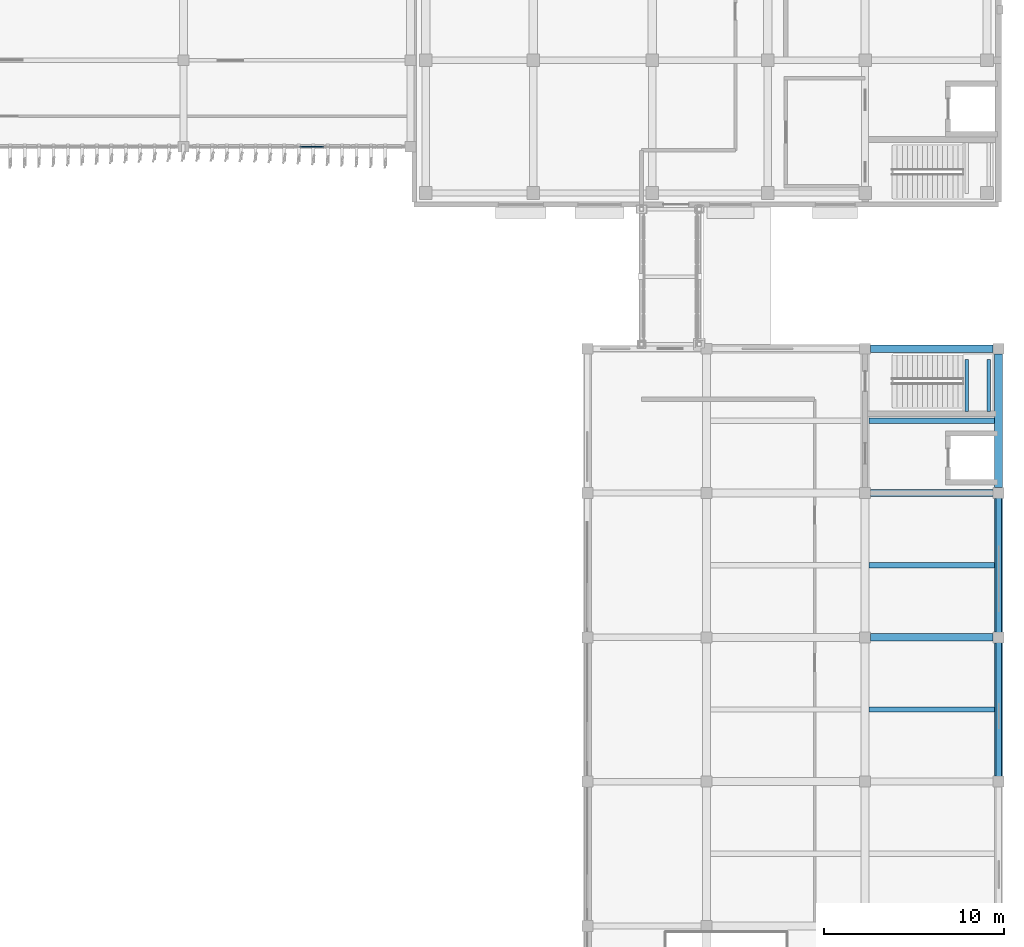
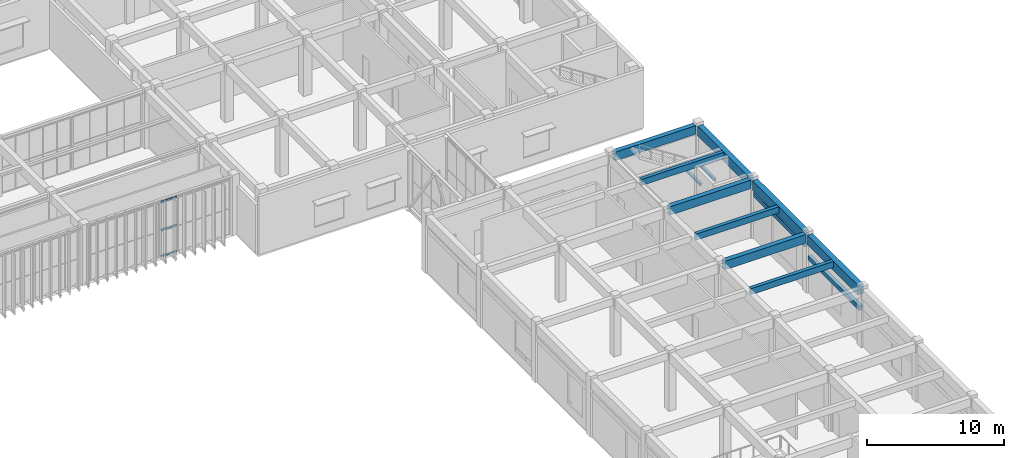
# One storey, part 24 of 64: 13 beams, 3 members, 1 element without a shape of its own.
"""IFC4 building model written with IfcOpenShell, lengths in metres."""

from ifc_helpers import new_model, si_unit, direction, frame, origin, origin_2d, place, context, subcontext, project, spatial, rectangle, i_section, extrude, material, layer, layer_set, material_profile, profile_set, type_object, element, aggregate, save


model = new_model("IFC4")

# Units and contexts
model_context = context("Model", 3, precision=1e-05, world=origin(), true_north=direction((0.0, 1.0)))
body_context = subcontext(model_context, "Body", "Model", "MODEL_VIEW")
ifc_project = project(units=[si_unit("LENGTHUNIT", "METRE"), si_unit("AREAUNIT", "SQUARE_METRE"), si_unit("VOLUMEUNIT", "CUBIC_METRE"), si_unit("PLANEANGLEUNIT", "RADIAN"), si_unit("MASSUNIT", "GRAM", prefix="KILO")], contexts=[model_context])

# Site, building, storey
site_placement = place(None, origin())
site = spatial("IfcSite", under=ifc_project, at=site_placement, CompositionType="ELEMENT")
building_placement = place(site_placement, origin())
building = spatial("IfcBuilding", under=site, at=building_placement, Name="Cinchona Park Media Centre", CompositionType="ELEMENT")
storey_placement = place(building_placement, frame((0.0, 0.0, 10.199951171875)))
storey = spatial("IfcBuildingStorey", under=building, at=storey_placement, Name="L02", CompositionType="ELEMENT", Elevation=10.199951171875)

# Beams
ifc_material_1 = material(Name="Concrete C35/45", Category="concrete")
ifc_material_profile_1 = material_profile(ifc_material_1, rectangle(XDim=0.39990234375, YDim=0.75, at=origin_2d()), Name="RB 400X750")
ifc_profile_set_1 = profile_set([ifc_material_profile_1], Name="Concrete C35/45")
beam_type_1 = type_object("IfcBeamType", Name="BEAM-B01-RB400X750", PredefinedType="BEAM", material=ifc_profile_set_1)
for number, where, z_axis, x_axis, name in (
    (1, (164.89990234375, 47.60009765625, 4.775146484375), (1.0, 0.0, 0.0), (0.0, 1.0, 0.0), "Beam B01 L02"),
    (2, (164.89990234375, 55.60009765625, 4.775146484375), (1.0, 0.0, 0.0), (0.0, 1.0, 0.0), "Beam B01 L02"),
    (3, (164.89990234375, 63.60009765625, 4.775146484375), (1.0, 0.0, 0.0), (0.0, 1.0, 0.0), "Beam B01 L02"),
):
    element("IfcBeam", number, at=place(storey_placement, frame(where, z_axis=z_axis, x_axis=x_axis)), inside=storey, type_object=beam_type_1, Name=name, PredefinedType="BEAM", context=body_context, shape_type="SweptSolid", body=[
        extrude(rectangle(XDim=0.39990234375, YDim=0.75, at=origin_2d()), origin(), (0.0, 0.0, 1.0), 6.800048828125),
    ])
ifc_material_2 = material(Name="Concrete C35/45", Category="concrete")
ifc_material_profile_2 = material_profile(ifc_material_2, rectangle(XDim=0.449951171875, YDim=0.85009765625, at=origin_2d()), Name="RB 450X850")
ifc_profile_set_2 = profile_set([ifc_material_profile_2], Name="Concrete C35/45")
beam_type_2 = type_object("IfcBeamType", Name="BEAM-B02-RB450X850", PredefinedType="BEAM", material=ifc_profile_set_2)
for number, where, z_axis, x_axis, name in (
    (4, (172.0, 39.89990234375, 4.72509765625), (0.0, 1.0, 0.0), (-1.0, 0.0, 0.0), "Girder B02 L02"),
    (5, (172.0, 47.89990234375, 4.72509765625), (0.0, 1.0, 0.0), (-1.0, 0.0, 0.0), "Girder B02 L02"),
    (6, (172.0, 55.89990234375, 4.72509765625), (0.0, 1.0, 0.0), (-1.0, 0.0, 0.0), "Girder B02 L02"),
):
    element("IfcBeam", number, at=place(storey_placement, frame(where, z_axis=z_axis, x_axis=x_axis)), inside=storey, type_object=beam_type_2, Name=name, PredefinedType="BEAM", context=body_context, shape_type="SweptSolid", body=[
        extrude(rectangle(XDim=0.449951171875, YDim=0.85009765625, at=origin_2d()), origin(), (0.0, 0.0, 1.0), 7.400146484375),
    ])
ifc_material_3 = material(Name="Steel S355", Category="steel")
ifc_material_profile_3 = material_profile(ifc_material_3, i_section(OverallWidth=0.202880859375, OverallDepth=0.202880859375, WebThickness=0.007080078125, FlangeThickness=0.010986328125, at=origin_2d()), Name="W200X46")
ifc_profile_set_3 = profile_set([ifc_material_profile_3], Name="Steel S355")
beam_type_3 = type_object("IfcBeamType", Name="BEAM-B10-W200X46", PredefinedType="BEAM", material=ifc_profile_set_3)
for number, where, z_axis, x_axis, name in (
    (7, (170.239990234375, 60.125, 2.3935546875), (0.0, 1.0, 0.0), (-1.0, 0.0, 0.0), "Stair Landing Bearer Beam B10 ST7 L02"),
    (8, (171.4599609375, 60.125, 2.3935546875), (0.0, 1.0, 0.0), (-1.0, 0.0, 0.0), "Stair Landing Bearer Beam B10 ST7 L02"),
):
    element("IfcBeam", number, at=place(storey_placement, frame(where, z_axis=z_axis, x_axis=x_axis)), inside=storey, type_object=beam_type_3, Name=name, PredefinedType="BEAM", context=body_context, shape_type="SweptSolid", body=[
        extrude(i_section(OverallWidth=0.202880859375, OverallDepth=0.202880859375, WebThickness=0.007080078125, FlangeThickness=0.010986328125, at=origin_2d()), origin(), (0.0, 0.0, 1.0), 2.875),
    ])
ifc_material_4 = material(Name="Concrete C35/45", Category="concrete")
ifc_material_profile_4 = material_profile(ifc_material_4, rectangle(XDim=0.300048828125, YDim=0.550048828125, at=origin_2d()), Name="RB 300X550")
ifc_profile_set_4 = profile_set([ifc_material_profile_4], Name="Concrete C35/45")
beam_type_4 = type_object("IfcBeamType", Name="BEAM-J01-RB300X550", PredefinedType="JOIST", material=ifc_profile_set_4)
for number, where, z_axis, x_axis, name in (
    (9, (164.824951171875, 43.60009765625, 4.875), (1.0, 0.0, 0.0), (0.0, 1.0, 0.0), "Floor Joist J01 L02"),
    (10, (164.824951171875, 51.60009765625, 4.875), (1.0, 0.0, 0.0), (0.0, 1.0, 0.0), "Floor Joist J01 L02"),
    (11, (164.824951171875, 59.60009765625, 4.875), (1.0, 0.0, 0.0), (0.0, 1.0, 0.0), "Floor Joist J01 L02"),
):
    element("IfcBeam", number, at=place(storey_placement, frame(where, z_axis=z_axis, x_axis=x_axis)), inside=storey, type_object=beam_type_4, Name=name, PredefinedType="JOIST", context=body_context, shape_type="SweptSolid", body=[
        extrude(rectangle(XDim=0.300048828125, YDim=0.550048828125, at=origin_2d()), origin(), (0.0, 0.0, 1.0), 6.949951171875),
    ])
ifc_material_5 = material(Name="Concrete C35/45", Category="concrete")
ifc_material_profile_5 = material_profile(ifc_material_5, rectangle(XDim=0.300048828125, YDim=0.39990234375, at=origin_2d()), Name="RL 300X400")
ifc_profile_set_5 = profile_set([ifc_material_profile_5], Name="Concrete C35/45")
beam_type_5 = type_object("IfcBeamType", Name="BEAM-LN02-RL300X400", PredefinedType="LINTEL", material=ifc_profile_set_5)
for number, where, z_axis, x_axis, name in (
    (12, (172.0, 55.320068359375, 3.900146484375), (0.0, -1.0, 0.0), (1.0, 0.0, 0.0), "Window Lintel LN02"),
    (13, (172.0, 47.320068359375, 3.10009765625), (0.0, -1.0, 0.0), (1.0, 0.0, 0.0), "Window Lintel LN02"),
):
    element("IfcBeam", number, at=place(storey_placement, frame(where, z_axis=z_axis, x_axis=x_axis)), inside=storey, type_object=beam_type_5, Name=name, PredefinedType="LINTEL", context=body_context, shape_type="SweptSolid", body=[
        extrude(rectangle(XDim=0.300048828125, YDim=0.39990234375, at=origin_2d()), origin(), (0.0, 0.0, 1.0), 7.440185546875),
    ])

# Curtain wall, members
ifc_material_6 = material(Name="Aluminium Curtain Wall Framing", Category="aluminium")
ifc_layer = layer(ifc_material_6, 0.2548828125)
ifc_layer_set = layer_set([ifc_layer], Name="Aluminium Curtain Wall Framing")
curtain_wall_type = type_object("IfcCurtainWallType", Name="CW-CW06", PredefinedType="USERDEFINED", material=ifc_layer_set)
curtain_wall_placement = place(storey_placement, origin())
curtain_wall = element("IfcCurtainWall", 14, at=curtain_wall_placement, inside=storey, type_object=curtain_wall_type, Name="Curtain Wall CW06 L02", ObjectType="UNITISED CURTAIN WALL", PredefinedType="USERDEFINED")
ifc_material_7 = material(Name="Anodised Aluminium Alloy 6063-T6", Category="aluminium")
ifc_material_profile_6 = material_profile(ifc_material_7, rectangle(XDim=0.074951171875, YDim=0.159912109375, at=origin_2d()), Name="TRN-75X160")
ifc_profile_set_6 = profile_set([ifc_material_profile_6], Name="Anodised Aluminium Alloy 6063-T6")
member_type = type_object("IfcMemberType", Name="TRANSOM-TRN03", PredefinedType="USERDEFINED", material=ifc_profile_set_6)
member_1_placement = place(storey_placement, frame((134.592529296875, 74.800048828125, 0.087646484375), z_axis=(-1.0, 0.0, 0.0), x_axis=(0.0, -1.0, 0.0)))
member_1 = element("IfcMember", 15, at=member_1_placement, type_object=member_type, Name="CW06 transom 4.1", ObjectType="TRANSOM", PredefinedType="USERDEFINED", context=body_context, shape_type="SweptSolid", body=[
    extrude(rectangle(XDim=0.074951171875, YDim=0.159912109375, at=origin_2d()), origin(), (0.0, 0.0, 1.0), 1.337646484375),
])
member_2_placement = place(storey_placement, frame((134.592529296875, 74.800048828125, 2.405029296875), z_axis=(-1.0, 0.0, 0.0), x_axis=(0.0, -1.0, 0.0)))
member_2 = element("IfcMember", 16, at=member_2_placement, type_object=member_type, Name="CW06 transom 4.2", ObjectType="TRANSOM", PredefinedType="USERDEFINED", context=body_context, shape_type="SweptSolid", body=[
    extrude(rectangle(XDim=0.074951171875, YDim=0.159912109375, at=origin_2d()), origin(), (0.0, 0.0, 1.0), 1.337646484375),
])
member_3_placement = place(storey_placement, frame((134.592529296875, 74.800048828125, 4.91943359375), z_axis=(-1.0, 0.0, 0.0), x_axis=(0.0, -1.0, 0.0)))
member_3 = element("IfcMember", 17, at=member_3_placement, type_object=member_type, Name="CW06 transom 4.3", ObjectType="TRANSOM", PredefinedType="USERDEFINED", context=body_context, shape_type="SweptSolid", body=[
    extrude(rectangle(XDim=0.074951171875, YDim=0.159912109375, at=origin_2d()), origin(), (0.0, 0.0, 1.0), 1.337646484375),
])
aggregate(curtain_wall, [member_1, member_2, member_3])

save(model, "model.ifc")
